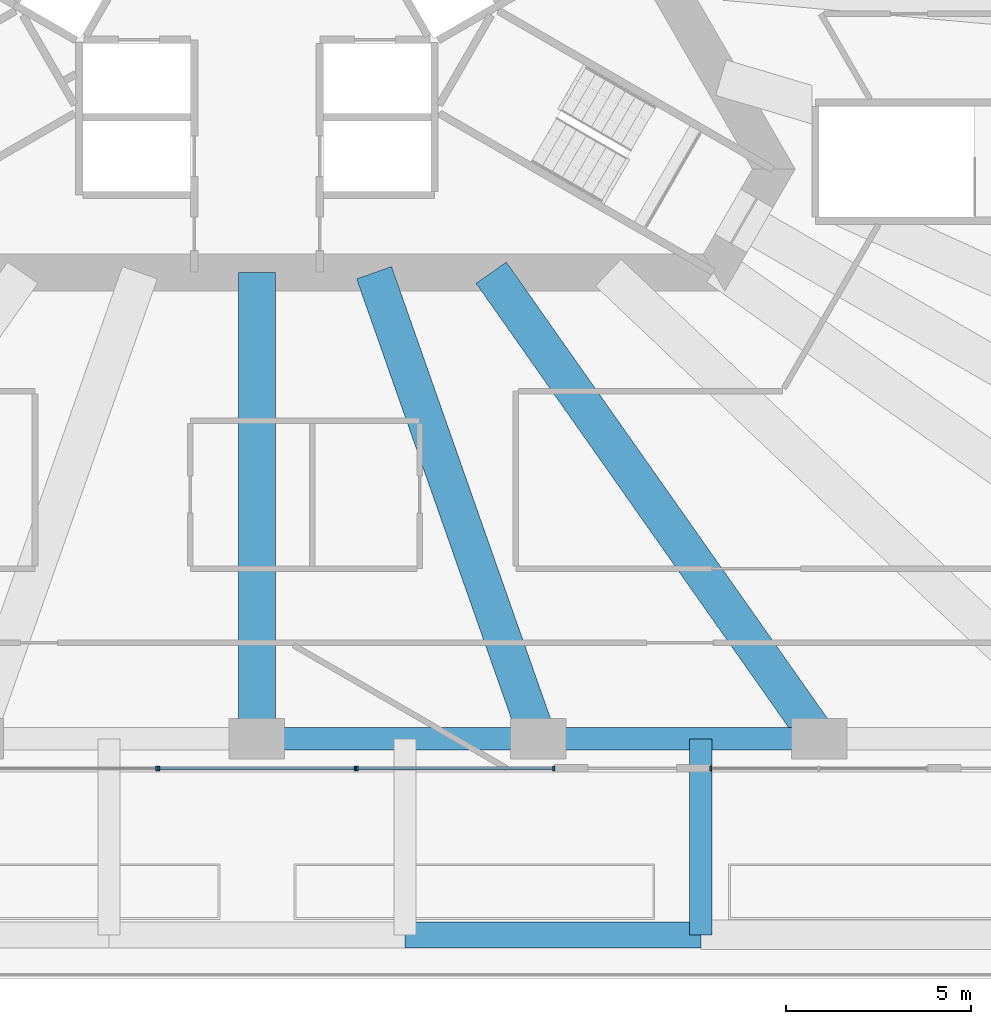
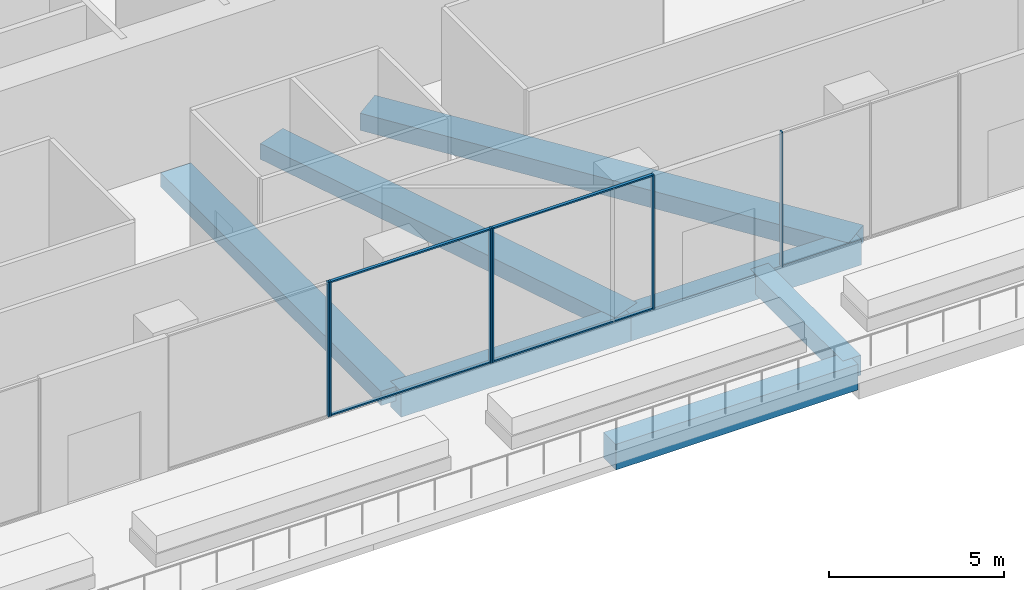
# One storey, part 8 of 28: 10 members, 7 beams, 4 elements without a shape of their own.
"""IFC4 building model written with IfcOpenShell, lengths in metres."""

from ifc_helpers import new_model, si_unit, direction, frame, origin, origin_2d, place, context, subcontext, project, spatial, rectangle, extrude, material, layer, layer_set, material_profile, profile_set, type_object, element, aggregate, save


model = new_model("IFC4")

# Units and contexts
model_context = context("Model", 3, precision=1e-05, world=origin(), true_north=direction((0.0, 1.0)))
body_context = subcontext(model_context, "Body", "Model", "MODEL_VIEW")
ifc_project = project(units=[si_unit("LENGTHUNIT", "METRE"), si_unit("AREAUNIT", "SQUARE_METRE"), si_unit("VOLUMEUNIT", "CUBIC_METRE"), si_unit("PLANEANGLEUNIT", "RADIAN"), si_unit("MASSUNIT", "GRAM", prefix="KILO")], contexts=[model_context])

# Site, building, storey
site_placement = place(None, origin())
site = spatial("IfcSite", under=ifc_project, at=site_placement, CompositionType="ELEMENT")
building_placement = place(site_placement, origin())
building = spatial("IfcBuilding", under=site, at=building_placement, Name="Triada Interchange Tower", CompositionType="ELEMENT")
storey_placement = place(building_placement, frame((0.0, 0.0, 30.300048828125)))
storey = spatial("IfcBuildingStorey", under=building, at=storey_placement, Name="L05", CompositionType="ELEMENT", Elevation=30.300048828125)

# Curtain wall, member
ifc_material_1 = material(Name="Aluminium framed glazing", Category="aluminium")
ifc_layer = layer(ifc_material_1, 0.199951171875)
ifc_layer_set = layer_set([ifc_layer], Name="Curtain wall Winter garden glazing")
curtain_wall_type = type_object("IfcCurtainWallType", Name="Curtain wall Winter garden glazing", PredefinedType="NOTDEFINED", material=ifc_layer_set)
curtain_wall_1_placement = place(storey_placement, origin())
curtain_wall_1 = element("IfcCurtainWall", 1, at=curtain_wall_1_placement, inside=storey, type_object=curtain_wall_type, Name="Winter garden glazing CW004 L05", PredefinedType="NOTDEFINED")
ifc_material_2 = material(Name="Aluminium", Category="aluminium")
ifc_material_profile_1 = material_profile(ifc_material_2, rectangle(XDim=0.1201171875, YDim=0.050048828125, at=origin_2d()), Name="Aluminium mullion")
ifc_profile_set_1 = profile_set([ifc_material_profile_1], Name="Aluminium")
member_type_1 = type_object("IfcMemberType", Name="Mullion Winter garden glazing 120x50", PredefinedType="MULLION", material=ifc_profile_set_1)
member_1_placement = place(storey_placement, frame((-2.7119140625, -22.39990234375, 0.0), z_axis=(0.0, 0.0, 1.0), x_axis=(0.0, 1.0, 0.0)))
member_1 = element("IfcMember", 2, at=member_1_placement, type_object=member_type_1, Name="CW004 mullion 2", PredefinedType="MULLION", context=body_context, shape_type="SweptSolid", body=[
    extrude(rectangle(XDim=0.1201171875, YDim=0.050048828125, at=origin_2d()), origin(), (0.0, 0.0, 1.0), 4.699951171875),
])
aggregate(curtain_wall_1, [member_1])

# Curtain wall, members
curtain_wall_2_placement = place(storey_placement, origin())
curtain_wall_2 = element("IfcCurtainWall", 3, at=curtain_wall_2_placement, inside=storey, type_object=curtain_wall_type, Name="Winter garden glazing CW005 L05", PredefinedType="NOTDEFINED")
member_2_placement = place(storey_placement, frame((-2.652099609375, -22.39990234375, 0.0), z_axis=(0.0, 0.0, 1.0), x_axis=(0.0, 1.0, 0.0)))
member_2 = element("IfcMember", 4, at=member_2_placement, type_object=member_type_1, Name="CW005 mullion 1", PredefinedType="MULLION", context=body_context, shape_type="SweptSolid", body=[
    extrude(rectangle(XDim=0.1201171875, YDim=0.050048828125, at=origin_2d()), origin(), (0.0, 0.0, 1.0), 4.699951171875),
])
member_3_placement = place(storey_placement, frame((2.652099609375, -22.39990234375, 0.0), z_axis=(0.0, 0.0, 1.0), x_axis=(0.0, 1.0, 0.0)))
member_3 = element("IfcMember", 5, at=member_3_placement, type_object=member_type_1, Name="CW005 mullion 2", PredefinedType="MULLION", context=body_context, shape_type="SweptSolid", body=[
    extrude(rectangle(XDim=0.1201171875, YDim=0.050048828125, at=origin_2d()), origin(), (0.0, 0.0, 1.0), 4.699951171875),
])

curtain_wall_3_placement = place(storey_placement, origin())
curtain_wall_3 = element("IfcCurtainWall", 6, at=curtain_wall_3_placement, inside=storey, type_object=curtain_wall_type, Name="Winter garden glazing CW006 L05", PredefinedType="NOTDEFINED")
member_4_placement = place(storey_placement, frame((2.7119140625, -22.39990234375, 0.0), z_axis=(0.0, 0.0, 1.0), x_axis=(0.0, 1.0, 0.0)))
member_4 = element("IfcMember", 7, at=member_4_placement, type_object=member_type_1, Name="CW006 mullion 1", PredefinedType="MULLION", context=body_context, shape_type="SweptSolid", body=[
    extrude(rectangle(XDim=0.1201171875, YDim=0.050048828125, at=origin_2d()), origin(), (0.0, 0.0, 1.0), 4.699951171875),
])
member_5_placement = place(storey_placement, frame((8.02099609375, -22.39990234375, 0.0), z_axis=(0.0, 0.0, 1.0), x_axis=(0.0, 1.0, 0.0)))
member_5 = element("IfcMember", 8, at=member_5_placement, type_object=member_type_1, Name="CW006 mullion 2", PredefinedType="MULLION", context=body_context, shape_type="SweptSolid", body=[
    extrude(rectangle(XDim=0.1201171875, YDim=0.050048828125, at=origin_2d()), origin(), (0.0, 0.0, 1.0), 4.699951171875),
])

# Curtain wall, member
curtain_wall_4_placement = place(storey_placement, origin())
curtain_wall_4 = element("IfcCurtainWall", 9, at=curtain_wall_4_placement, inside=storey, type_object=curtain_wall_type, Name="Winter garden glazing CW007 L05", PredefinedType="NOTDEFINED")
member_6_placement = place(storey_placement, frame((12.27099609375, -22.39990234375, 0.0), z_axis=(0.0, 0.0, 1.0), x_axis=(0.0, 1.0, 0.0)))
member_6 = element("IfcMember", 10, at=member_6_placement, type_object=member_type_1, Name="CW007 mullion 1", PredefinedType="MULLION", context=body_context, shape_type="SweptSolid", body=[
    extrude(rectangle(XDim=0.1201171875, YDim=0.050048828125, at=origin_2d()), origin(), (0.0, 0.0, 1.0), 4.699951171875),
])
aggregate(curtain_wall_4, [member_6])

# Beams
ifc_material_3 = material(Name="Concrete C50/60", Category="concrete")
ifc_material_profile_2 = material_profile(ifc_material_3, rectangle(XDim=1.0, YDim=0.5, at=origin_2d()), Name="RC 1000x500")
ifc_profile_set_2 = profile_set([ifc_material_profile_2], Name="Concrete C50/60")
beam_type_1 = type_object("IfcBeamType", Name="Radial band beam P RC 1000x500", PredefinedType="BEAM", material=ifc_profile_set_2)
beam_1_placement = place(storey_placement, frame((0.0, -21.60009765625, -0.650146484375), z_axis=(0.0, 1.0, 0.0), x_axis=(-1.0, 0.0, 0.0)))
element("IfcBeam", 11, at=beam_1_placement, inside=storey, type_object=beam_type_1, Name="Radial band beam BP15 L05", PredefinedType="BEAM", context=body_context, shape_type="SweptSolid", body=[
    extrude(rectangle(XDim=1.0, YDim=0.5, at=origin_2d()), origin(), (0.0, 0.0, 1.0), 12.60009765625),
])
ifc_material_profile_3 = material_profile(ifc_material_3, rectangle(XDim=1.0, YDim=0.550048828125, at=origin_2d()), Name="RC 1000x550")
ifc_profile_set_3 = profile_set([ifc_material_profile_3], Name="Concrete C50/60")
beam_type_2 = type_object("IfcBeamType", Name="Radial band beam P RC 1000x550", PredefinedType="BEAM", material=ifc_profile_set_3)
beam_2_placement = place(storey_placement, frame((7.59912109375, -21.60009765625, -0.675048828125), z_axis=(-0.331888742463, 0.943318537201, 0.0), x_axis=(-0.943318537201, -0.331888742463, 0.0)))
element("IfcBeam", 12, at=beam_2_placement, inside=storey, type_object=beam_type_2, Name="Radial band beam BP16 L05", PredefinedType="BEAM", context=body_context, shape_type="SweptSolid", body=[
    extrude(rectangle(XDim=1.0, YDim=0.550048828125, at=origin_2d()), origin(), (0.0, 0.0, 1.0), 13.357177734375),
])
ifc_material_profile_4 = material_profile(ifc_material_3, rectangle(XDim=1.0, YDim=0.60009765625, at=origin_2d()), Name="RC 1000x600")
ifc_profile_set_4 = profile_set([ifc_material_profile_4], Name="Concrete C50/60")
beam_type_3 = type_object("IfcBeamType", Name="Radial band beam P RC 1000x600", PredefinedType="BEAM", material=ifc_profile_set_4)
beam_3_placement = place(storey_placement, frame((15.198974609375, -21.60009765625, -0.699951171875), z_axis=(-0.575460041142, 0.81782989738, 0.0), x_axis=(-0.81782989738, -0.575460041142, 0.0)))
element("IfcBeam", 13, at=beam_3_placement, inside=storey, type_object=beam_type_3, Name="Radial band beam BP17 L05", PredefinedType="BEAM", context=body_context, shape_type="SweptSolid", body=[
    extrude(rectangle(XDim=1.0, YDim=0.60009765625, at=origin_2d()), origin(), (0.0, 0.0, 1.0), 15.40673828125),
])
ifc_material_profile_5 = material_profile(ifc_material_3, rectangle(XDim=0.60009765625, YDim=0.89990234375, at=origin_2d()), Name="RC 600x900")
ifc_profile_set_5 = profile_set([ifc_material_profile_5], Name="Concrete C50/60")
beam_type_4 = type_object("IfcBeamType", Name="Spandrel beam P RC 600x900", PredefinedType="BEAM", material=ifc_profile_set_5)
beam_4_placement = place(storey_placement, frame((0.0, -21.60009765625, -0.85009765625), z_axis=(1.0, 0.0, 0.0), x_axis=(0.0, 1.0, 0.0)))
element("IfcBeam", 14, at=beam_4_placement, inside=storey, type_object=beam_type_4, Name="Spandrel beam EP15 L05", PredefinedType="BEAM", context=body_context, shape_type="SweptSolid", body=[
    extrude(rectangle(XDim=0.60009765625, YDim=0.89990234375, at=origin_2d()), origin(), (0.0, 0.0, 1.0), 7.59912109375),
])
beam_5_placement = place(storey_placement, frame((7.59912109375, -21.60009765625, -0.85009765625), z_axis=(1.0, 0.0, 0.0), x_axis=(0.0, 1.0, 0.0)))
element("IfcBeam", 15, at=beam_5_placement, inside=storey, type_object=beam_type_4, Name="Spandrel beam EP16 L05", PredefinedType="BEAM", context=body_context, shape_type="SweptSolid", body=[
    extrude(rectangle(XDim=0.60009765625, YDim=0.89990234375, at=origin_2d()), origin(), (0.0, 0.0, 1.0), 7.599853515625),
])
ifc_material_4 = material(Name="Concrete C40/50", Category="concrete")
ifc_material_profile_6 = material_profile(ifc_material_4, rectangle(XDim=0.60009765625, YDim=0.699951171875, at=origin_2d()), Name="RC 600x700")
ifc_profile_set_6 = profile_set([ifc_material_profile_6], Name="Concrete C40/50")
beam_type_5 = type_object("IfcBeamType", Name="Terrace beam RC 600x700", PredefinedType="BEAM", material=ifc_profile_set_6)
beam_6_placement = place(storey_placement, frame((12.0, -26.89990234375, -0.75), z_axis=(0.0, 1.0, 0.0), x_axis=(-1.0, 0.0, 0.0)))
element("IfcBeam", 16, at=beam_6_placement, inside=storey, type_object=beam_type_5, Name="Terrace beam TE05 L05", PredefinedType="BEAM", context=body_context, shape_type="SweptSolid", body=[
    extrude(rectangle(XDim=0.60009765625, YDim=0.699951171875, at=origin_2d()), origin(), (0.0, 0.0, 1.0), 5.2998046875),
])
ifc_material_profile_7 = material_profile(ifc_material_4, rectangle(XDim=0.699951171875, YDim=0.89990234375, at=origin_2d()), Name="RC 700x900")
ifc_profile_set_7 = profile_set([ifc_material_profile_7], Name="Concrete C40/50")
beam_type_6 = type_object("IfcBeamType", Name="Terrace beam RC 700x900", PredefinedType="BEAM", material=ifc_profile_set_7)
beam_7_placement = place(storey_placement, frame((4.0, -26.89990234375, -0.85009765625), z_axis=(1.0, 0.0, 0.0), x_axis=(0.0, 1.0, 0.0)))
element("IfcBeam", 17, at=beam_7_placement, inside=storey, type_object=beam_type_6, Name="Terrace beam TE10 L05", PredefinedType="BEAM", context=body_context, shape_type="SweptSolid", body=[
    extrude(rectangle(XDim=0.699951171875, YDim=0.89990234375, at=origin_2d()), origin(), (0.0, 0.0, 1.0), 8.0),
])

# Member
ifc_material_profile_8 = material_profile(ifc_material_2, rectangle(XDim=0.10009765625, YDim=0.050048828125, at=origin_2d()), Name="Aluminium transom")
ifc_profile_set_8 = profile_set([ifc_material_profile_8], Name="Aluminium")
member_type_2 = type_object("IfcMemberType", Name="Transom Winter garden glazing 100x50", PredefinedType="USERDEFINED", material=ifc_profile_set_8)
member_7_placement = place(storey_placement, frame((-2.626953125, -22.39990234375, 0.02490234375), z_axis=(1.0, 0.0, 0.0), x_axis=(0.0, 1.0, 0.0)))
member_7 = element("IfcMember", 18, at=member_7_placement, type_object=member_type_2, Name="CW005 transom 1.1", ObjectType="TRANSOM", PredefinedType="USERDEFINED", context=body_context, shape_type="SweptSolid", body=[
    extrude(rectangle(XDim=0.10009765625, YDim=0.050048828125, at=origin_2d()), origin(), (0.0, 0.0, 1.0), 5.25390625),
])

member_8_placement = place(storey_placement, frame((-2.626953125, -22.39990234375, 4.675048828125), z_axis=(1.0, 0.0, 0.0), x_axis=(0.0, 1.0, 0.0)))
member_8 = element("IfcMember", 19, at=member_8_placement, type_object=member_type_2, Name="CW005 transom 1.2", ObjectType="TRANSOM", PredefinedType="USERDEFINED", context=body_context, shape_type="SweptSolid", body=[
    extrude(rectangle(XDim=0.10009765625, YDim=0.050048828125, at=origin_2d()), origin(), (0.0, 0.0, 1.0), 5.25390625),
])

aggregate(curtain_wall_2, [member_2, member_3, member_7, member_8])

member_9_placement = place(storey_placement, frame((2.737060546875, -22.39990234375, 0.02490234375), z_axis=(1.0, 0.0, 0.0), x_axis=(0.0, 1.0, 0.0)))
member_9 = element("IfcMember", 20, at=member_9_placement, type_object=member_type_2, Name="CW006 transom 1.1", ObjectType="TRANSOM", PredefinedType="USERDEFINED", context=body_context, shape_type="SweptSolid", body=[
    extrude(rectangle(XDim=0.10009765625, YDim=0.050048828125, at=origin_2d()), origin(), (0.0, 0.0, 1.0), 5.259033203125),
])

member_10_placement = place(storey_placement, frame((2.737060546875, -22.39990234375, 4.675048828125), z_axis=(1.0, 0.0, 0.0), x_axis=(0.0, 1.0, 0.0)))
member_10 = element("IfcMember", 21, at=member_10_placement, type_object=member_type_2, Name="CW006 transom 1.2", ObjectType="TRANSOM", PredefinedType="USERDEFINED", context=body_context, shape_type="SweptSolid", body=[
    extrude(rectangle(XDim=0.10009765625, YDim=0.050048828125, at=origin_2d()), origin(), (0.0, 0.0, 1.0), 5.259033203125),
])

aggregate(curtain_wall_3, [member_4, member_5, member_9, member_10])

save(model, "model.ifc")
